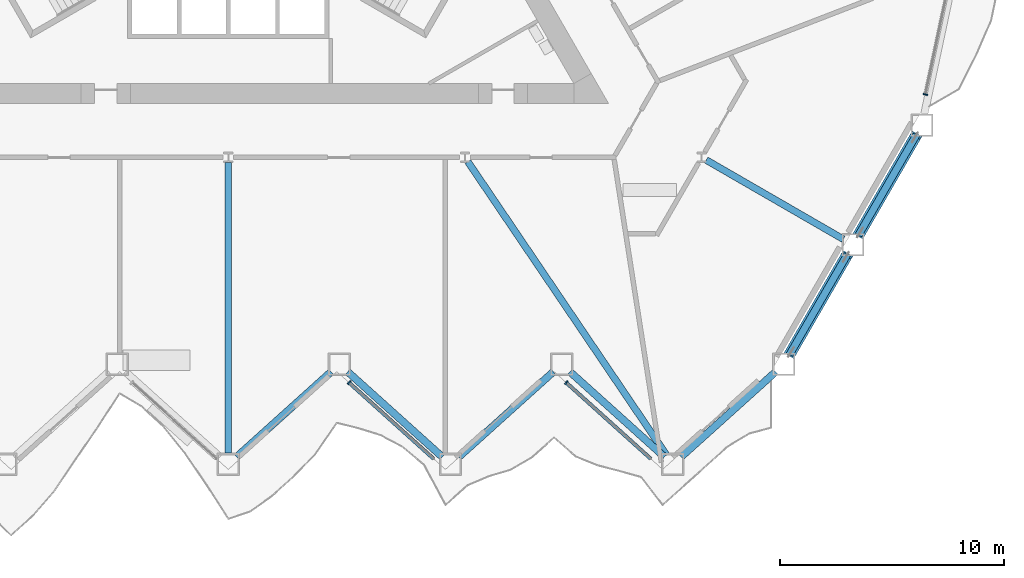
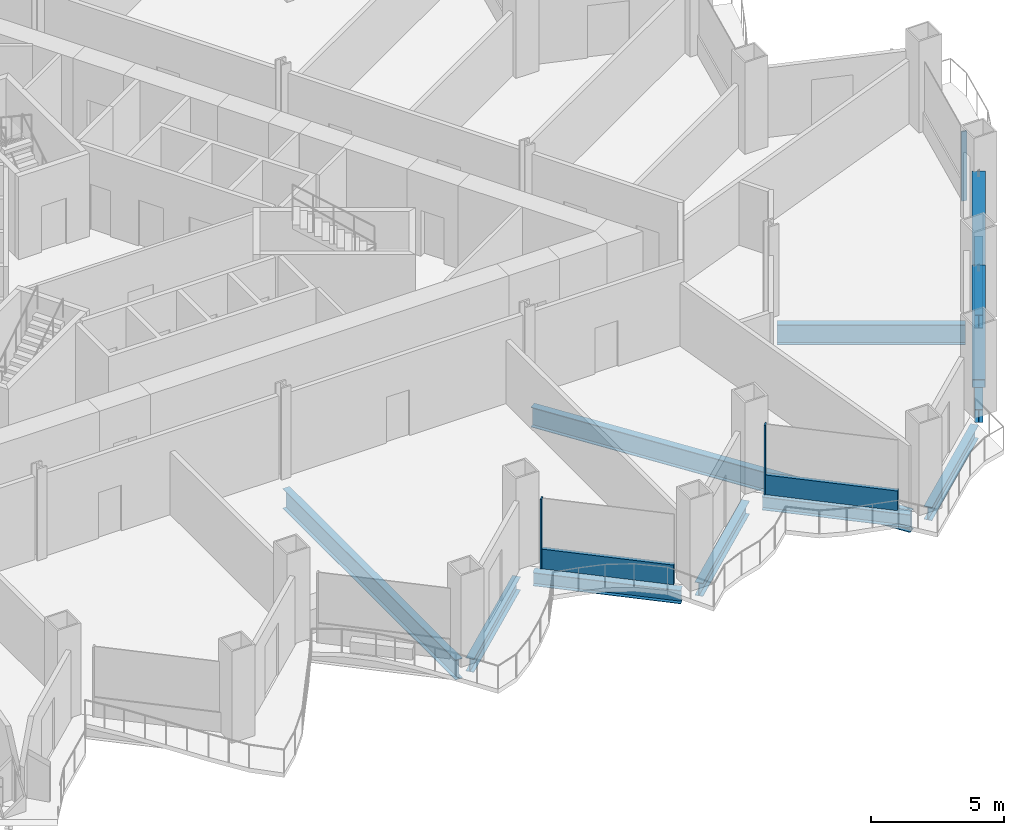
# One storey, part 4 of 21: 10 beams, 7 members, 3 elements without a shape of their own.
"""IFC4 building model written with IfcOpenShell, lengths in metres."""

from ifc_helpers import new_model, si_unit, direction, frame, origin, origin_2d, place, context, subcontext, project, spatial, rectangle, hollow_rectangle, i_section, extrude, material, layer, layer_set, material_profile, profile_set, type_object, element, aggregate, save


model = new_model("IFC4")

# Units and contexts
model_context = context("Model", 3, precision=1e-05, world=origin(), true_north=direction((0.0, 1.0)))
body_context = subcontext(model_context, "Body", "Model", "MODEL_VIEW")
ifc_project = project(units=[si_unit("LENGTHUNIT", "METRE"), si_unit("AREAUNIT", "SQUARE_METRE"), si_unit("VOLUMEUNIT", "CUBIC_METRE"), si_unit("PLANEANGLEUNIT", "RADIAN"), si_unit("MASSUNIT", "GRAM", prefix="KILO")], contexts=[model_context])

# Site, building, storey
site_placement = place(None, origin())
site = spatial("IfcSite", under=ifc_project, at=site_placement, CompositionType="ELEMENT")
building_placement = place(site_placement, origin())
building = spatial("IfcBuilding", under=site, at=building_placement, Name="Cormorant Prow Tower", CompositionType="ELEMENT")
storey_placement = place(building_placement, frame((0.0, 0.0, 51.0)))
storey = spatial("IfcBuildingStorey", under=building, at=storey_placement, Name="L10", CompositionType="ELEMENT", Elevation=51.0)

# Members
ifc_material_1 = material(Name="Structural steel ASTM A500 Gr C", Category="steel")
ifc_material_profile_1 = material_profile(ifc_material_1, hollow_rectangle(XDim=0.508056640625, YDim=0.508056640625, WallThickness=0.014892578125, at=origin_2d()), Name="HSS20x20x5/8")
ifc_profile_set_1 = profile_set([ifc_material_profile_1], Name="Structural steel ASTM A500 Gr C")
member_type_1 = type_object("IfcMemberType", Name="Chamfer brace HSS20x20x5/8", PredefinedType="BRACE", material=ifc_profile_set_1)
for number, where, z_axis, x_axis, name in (
    (1, (25.089599609375, -21.0107421875, 0.767333984375), (0.475899695849, 0.824255918841, 0.306792535351), (-0.866018434186, 0.500012071504, 0.0), "Chamfer brace BR1 at ESE00 L10"),
    (2, (28.174560546875, -15.667724609375, 0.767333984375), (0.475881936113, 0.824270433724, 0.306781086395), (-0.866030326616, 0.499991473309, 0.0), "Chamfer brace BR1 at ESE01 L10"),
):
    element("IfcMember", number, at=place(storey_placement, frame(where, z_axis=z_axis, x_axis=x_axis)), inside=storey, type_object=member_type_1, Name=name, PredefinedType="BRACE", context=body_context, shape_type="SweptSolid", body=[
        extrude(hollow_rectangle(XDim=0.508056640625, YDim=0.508056640625, WallThickness=0.014892578125, at=origin_2d()), origin(), (0.0, 0.0, 1.0), 5.392333984375),
    ])

# Curtain wall, member
ifc_material_2 = material(Name="Aluminium 6063-T6", Category="aluminium")
ifc_layer = layer(ifc_material_2, 0.199951171875)
ifc_layer_set = layer_set([ifc_layer], Name="Aluminium 6063-T6")
curtain_wall_type = type_object("IfcCurtainWallType", Name="Office unitised curtain wall 200", PredefinedType="NOTDEFINED", material=ifc_layer_set)
curtain_wall_1_placement = place(storey_placement, origin())
curtain_wall_1 = element("IfcCurtainWall", 3, at=curtain_wall_1_placement, inside=storey, type_object=curtain_wall_type, Name="Office curtain wall S06", PredefinedType="NOTDEFINED")
ifc_material_3 = material(Name="Aluminium 6063-T6", Category="aluminium")
ifc_material_profile_2 = material_profile(ifc_material_3, rectangle(XDim=0.199951171875, YDim=0.06005859375, at=origin_2d()), Name="Office mullion 60x200")
ifc_profile_set_2 = profile_set([ifc_material_profile_2], Name="Aluminium 6063-T6")
member_type_2 = type_object("IfcMemberType", Name="Office mullion 60x200", PredefinedType="MULLION", material=ifc_profile_set_2)
member_1_placement = place(storey_placement, frame((5.3974609375, -22.27783203125, 0.0), z_axis=(0.0, 0.0, 1.0), x_axis=(0.669130649459, 0.74314478667, 0.0)))
member_1 = element("IfcMember", 4, at=member_1_placement, type_object=member_type_2, Name="Office mullion S06", PredefinedType="MULLION", context=body_context, shape_type="SweptSolid", body=[
    extrude(rectangle(XDim=0.199951171875, YDim=0.06005859375, at=origin_2d()), origin(), (0.0, 0.0, 1.0), 3.18896484375),
])

curtain_wall_2_placement = place(storey_placement, origin())
curtain_wall_2 = element("IfcCurtainWall", 5, at=curtain_wall_2_placement, inside=storey, type_object=curtain_wall_type, Name="Office curtain wall S08", PredefinedType="NOTDEFINED")
member_2_placement = place(storey_placement, frame((15.102783203125, -22.27783203125, 0.0), z_axis=(0.0, 0.0, 1.0), x_axis=(0.66913057331, 0.743144855234, 0.0)))
member_2 = element("IfcMember", 6, at=member_2_placement, type_object=member_type_2, Name="Office mullion S08", PredefinedType="MULLION", context=body_context, shape_type="SweptSolid", body=[
    extrude(rectangle(XDim=0.199951171875, YDim=0.06005859375, at=origin_2d()), origin(), (0.0, 0.0, 1.0), 3.18896484375),
])

curtain_wall_3_placement = place(storey_placement, origin())
curtain_wall_3 = element("IfcCurtainWall", 7, at=curtain_wall_3_placement, inside=storey, type_object=curtain_wall_type, Name="Office curtain wall ENE00", PredefinedType="NOTDEFINED")
member_3_placement = place(storey_placement, frame((31.15234375, -9.402099609375, 0.0), z_axis=(0.0, 0.0, 1.0), x_axis=(-0.978147599834, 0.207911695052, 0.0)))
member_3 = element("IfcMember", 8, at=member_3_placement, type_object=member_type_2, Name="Office mullion ENE00", PredefinedType="MULLION", context=body_context, shape_type="SweptSolid", body=[
    extrude(rectangle(XDim=0.199951171875, YDim=0.06005859375, at=origin_2d()), origin(), (0.0, 0.0, 1.0), 3.18896484375),
])
aggregate(curtain_wall_3, [member_3])

# Member
ifc_material_4 = material(Name="Terracotta", Category="masonry")
ifc_material_profile_3 = material_profile(ifc_material_4, rectangle(XDim=0.159912109375, YDim=0.89990234375, at=origin_2d()), Name="Office terracotta spandrel rail 160x900")
ifc_profile_set_3 = profile_set([ifc_material_profile_3], Name="Terracotta")
member_type_3 = type_object("IfcMemberType", Name="Office terracotta spandrel rail 160x900", PredefinedType="USERDEFINED", material=ifc_profile_set_3)
member_4_placement = place(storey_placement, frame((5.419677734375, -22.2978515625, 0.449951171875), z_axis=(0.743140700473, -0.669135187612, 0.0), x_axis=(0.669135187612, 0.743140700473, 0.0)))
member_4 = element("IfcMember", 9, at=member_4_placement, type_object=member_type_3, Name="Office spandrel rail S06", ObjectType="TRANSOM", PredefinedType="USERDEFINED", context=body_context, shape_type="SweptSolid", body=[
    extrude(rectangle(XDim=0.159912109375, YDim=0.89990234375, at=origin_2d()), origin(), (0.0, 0.0, 1.0), 5.06396484375),
])

aggregate(curtain_wall_1, [member_1, member_4])

member_5_placement = place(storey_placement, frame((15.125, -22.2978515625, 0.449951171875), z_axis=(0.743140700473, -0.669135187612, 0.0), x_axis=(0.669135187612, 0.743140700473, 0.0)))
member_5 = element("IfcMember", 10, at=member_5_placement, type_object=member_type_3, Name="Office spandrel rail S08", ObjectType="TRANSOM", PredefinedType="USERDEFINED", context=body_context, shape_type="SweptSolid", body=[
    extrude(rectangle(XDim=0.159912109375, YDim=0.89990234375, at=origin_2d()), origin(), (0.0, 0.0, 1.0), 5.06396484375),
])

aggregate(curtain_wall_2, [member_2, member_5])

# Beams
ifc_material_5 = material(Name="Structural steel ASTM A992 Gr 50", Category="steel")
ifc_material_profile_4 = material_profile(ifc_material_5, i_section(OverallWidth=0.3046875, OverallDepth=0.914794921875, WebThickness=0.0166015625, FlangeThickness=0.02587890625, at=origin_2d()), Name="W36x160")
ifc_profile_set_4 = profile_set([ifc_material_profile_4], Name="Structural steel ASTM A992 Gr 50")
beam_type_1 = type_object("IfcBeamType", Name="Radial floor beam W36x160", PredefinedType="BEAM", material=ifc_profile_set_4)
beam_1_placement = place(storey_placement, frame((0.0, -12.447265625, -0.857421875), z_axis=(0.0, -1.0, 0.0), x_axis=(1.0, 0.0, 0.0)))
element("IfcBeam", 11, at=beam_1_placement, inside=storey, type_object=beam_type_1, Name="Radial floor beam FB1 7 L10", PredefinedType="BEAM", context=body_context, shape_type="SweptSolid", body=[
    extrude(i_section(OverallWidth=0.3046875, OverallDepth=0.914794921875, WebThickness=0.0166015625, FlangeThickness=0.02587890625, at=origin_2d()), origin(), (0.0, 0.0, 1.0), 12.984130859375),
])
beam_2_placement = place(storey_placement, frame((10.708740234375, -12.4072265625, -0.857421875), z_axis=(0.560597160775, -0.828088656685, 0.0), x_axis=(0.828088656685, 0.560597160775, 0.0)))
element("IfcBeam", 12, at=beam_2_placement, inside=storey, type_object=beam_type_1, Name="Radial floor beam FB1 8 L10", PredefinedType="BEAM", context=body_context, shape_type="SweptSolid", body=[
    extrude(i_section(OverallWidth=0.3046875, OverallDepth=0.914794921875, WebThickness=0.0166015625, FlangeThickness=0.02587890625, at=origin_2d()), origin(), (0.0, 0.0, 1.0), 15.831787109375),
])
beam_3_placement = place(storey_placement, frame((21.358154296875, -12.3310546875, -0.857421875), z_axis=(0.866014253463, -0.500019312426, 0.0), x_axis=(0.500019312426, 0.866014253463, 0.0)))
element("IfcBeam", 13, at=beam_3_placement, inside=storey, type_object=beam_type_1, Name="Radial floor beam FB1 9 L10", PredefinedType="BEAM", context=body_context, shape_type="SweptSolid", body=[
    extrude(i_section(OverallWidth=0.3046875, OverallDepth=0.914794921875, WebThickness=0.0166015625, FlangeThickness=0.02587890625, at=origin_2d()), origin(), (0.0, 0.0, 1.0), 7.071533203125),
])
ifc_material_6 = material(Name="Structural steel ASTM A992 Gr 50", Category="steel")
ifc_material_profile_5 = material_profile(ifc_material_6, i_section(OverallWidth=0.32373046875, OverallDepth=0.611083984375, WebThickness=0.0126953125, FlangeThickness=0.01904296875, at=origin_2d()), Name="W24x104")
ifc_profile_set_5 = profile_set([ifc_material_profile_5], Name="Structural steel ASTM A992 Gr 50")
beam_type_2 = type_object("IfcBeamType", Name="Spandrel beam W24x104", PredefinedType="SPANDREL", material=ifc_profile_set_5)
for number, where, z_axis, x_axis, name in (
    (14, (0.37158203125, -25.596923828125, -0.70556640625), (0.743129630386, 0.669147481833, 0.0), (-0.669147481833, 0.743129630386, 0.0), "Spandrel beam SB1 S05-S06 L10"),
    (15, (5.337646484375, -21.79443359375, -0.70556640625), (0.743129630386, -0.669147481833, 0.0), (0.669147481833, 0.743129630386, 0.0), "Spandrel beam SB1 S06-S07 L10"),
    (16, (10.3037109375, -25.596923828125, -0.70556640625), (0.743129630386, 0.669147481833, 0.0), (-0.669147481833, 0.743129630386, 0.0), "Spandrel beam SB1 S07-S08 L10"),
    (17, (15.269775390625, -21.79443359375, -0.70556640625), (0.743129630386, -0.669147481833, 0.0), (0.669147481833, 0.743129630386, 0.0), "Spandrel beam SB1 S08-S09 L10"),
    (18, (20.23583984375, -25.596923828125, -0.70556640625), (0.743129630386, 0.669147481833, 0.0), (-0.669147481833, 0.743129630386, 0.0), "Spandrel beam SB1 S09-ESE00 L10"),
):
    element("IfcBeam", number, at=place(storey_placement, frame(where, z_axis=z_axis, x_axis=x_axis)), inside=storey, type_object=beam_type_2, Name=name, PredefinedType="SPANDREL", context=body_context, shape_type="SweptSolid", body=[
        extrude(i_section(OverallWidth=0.32373046875, OverallDepth=0.611083984375, WebThickness=0.0126953125, FlangeThickness=0.01904296875, at=origin_2d()), origin(), (0.0, 0.0, 1.0), 5.6826171875),
    ])
for number, where, z_axis, x_axis, name in (
    (19, (25.080322265625, -21.02685546875, -0.70556640625), (0.500019507279, 0.866014140959, 0.0), (-0.866014140959, 0.500019507279, 0.0), "Spandrel beam SB1 ESE00-ESE01 L10"),
    (20, (28.165283203125, -15.683837890625, -0.70556640625), (0.49998408811, 0.866034590324, 0.0), (-0.866034590324, 0.49998408811, 0.0), "Spandrel beam SB1 ESE01-ENE00 L10"),
):
    element("IfcBeam", number, at=place(storey_placement, frame(where, z_axis=z_axis, x_axis=x_axis)), inside=storey, type_object=beam_type_2, Name=name, PredefinedType="SPANDREL", context=body_context, shape_type="SweptSolid", body=[
        extrude(i_section(OverallWidth=0.32373046875, OverallDepth=0.611083984375, WebThickness=0.0126953125, FlangeThickness=0.01904296875, at=origin_2d()), origin(), (0.0, 0.0, 1.0), 5.169677734375),
    ])

save(model, "model.ifc")
